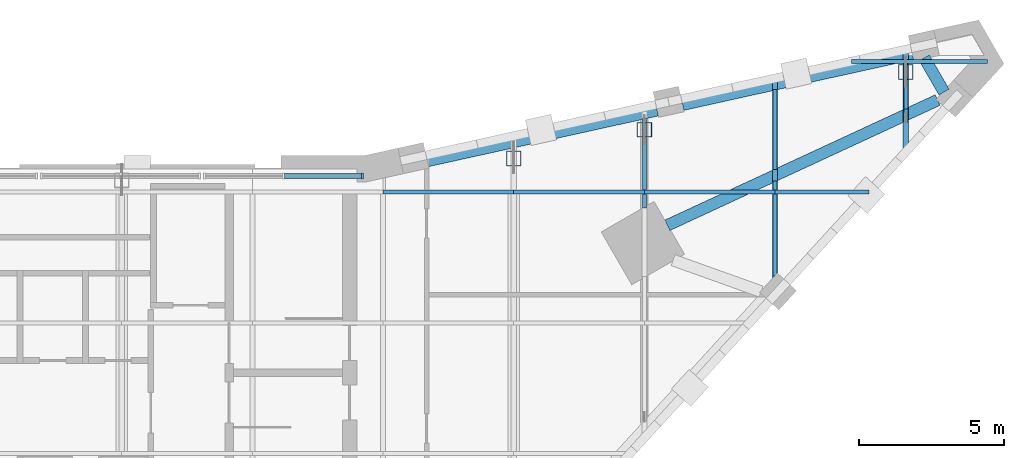
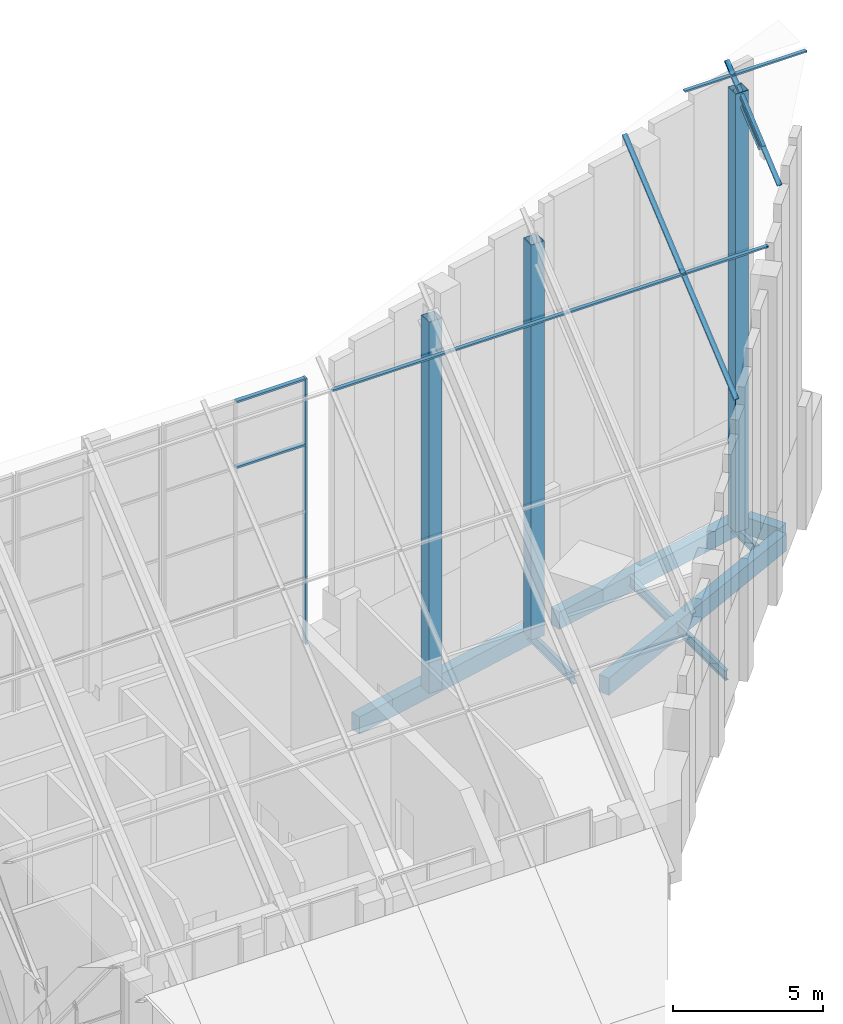
# One storey, part 8 of 19: 14 members, 9 beams, 6 elements without a shape of their own.
"""IFC4 building model written with IfcOpenShell, lengths in metres."""

import ifcopenshell
import ifcopenshell.guid

model = None  # the IFC model being written
_history = None  # IfcOwnerHistory: only IFC2X3 demands one
_inside = {}  # id of a spatial element -> (the spatial element, [elements in it])
_under = {}  # id of a project, library or spatial element -> (it, [spatial elements below it])
_declared = {}  # id of a project -> (the project, [libraries it declares])
_typed = {}  # id of a type object -> (the type object, [elements of that type])
_made_of = {}  # id of a material, layer set ... -> (it, [elements and type objects made of it])


def new_model(schema):
    """Start an empty IFC model of exactly this schema.

    Asked for "IFC4X3", IfcOpenShell would pick the latest addendum, in which some entities
    have other attributes; the version numbers below select the first issue.
    IFC2X3 requires an IfcOwnerHistory on every rooted entity: one is made here for all.
    """
    global model, _history
    if schema == "IFC4X3":
        model = ifcopenshell.file(schema_version=(4, 3, 0, 0))
    else:
        model = ifcopenshell.file(schema=schema)
    _inside.clear()
    _under.clear()
    _declared.clear()
    _typed.clear()
    _made_of.clear()
    _history = None
    if model.schema == "IFC2X3":
        org = make("IfcOrganization", Name="unknown")
        user = make(
            "IfcPersonAndOrganization",
            ThePerson=make("IfcPerson", FamilyName="unknown"),
            TheOrganization=org,
        )
        app = make(
            "IfcApplication",
            ApplicationDeveloper=org,
            Version="unknown",
            ApplicationFullName="unknown",
            ApplicationIdentifier="unknown",
        )
        _history = make(
            "IfcOwnerHistory",
            OwningUser=user,
            OwningApplication=app,
            ChangeAction="ADDED",
            CreationDate=0,
        )
    return model


def make(cls, **values):
    """One entity of the class cls with the attributes given. An attribute that is None is left unset."""
    return model.create_entity(
        cls, **{name: value for name, value in values.items() if value is not None}
    )


def rooted(cls, **values):
    """An entity with a GlobalId (a new one), such as an element, a storey or a relation."""
    return make(cls, GlobalId=ifcopenshell.guid.new(), OwnerHistory=_history, **values)


def si_unit(unit_type, name, prefix=None):
    """IfcSIUnit, for example si_unit("LENGTHUNIT", "METRE", prefix="MILLI")."""
    return make("IfcSIUnit", UnitType=unit_type, Prefix=prefix, Name=name)


def assignment(units):
    """IfcUnitAssignment: the units of a project."""
    return None if units is None else make("IfcUnitAssignment", Units=units)


def point(xyz):
    """IfcCartesianPoint."""
    return None if xyz is None else make("IfcCartesianPoint", Coordinates=xyz)


def direction(xyz):
    """IfcDirection."""
    return None if xyz is None else make("IfcDirection", DirectionRatios=xyz)


def frame(location, z_axis=None, x_axis=None):
    """IfcAxis2Placement3D, a coordinate frame: its origin and axes. An axis left out is left unset."""
    return make(
        "IfcAxis2Placement3D",
        Location=point(location),
        Axis=direction(z_axis),
        RefDirection=direction(x_axis),
    )


def frame_2d(location, x_axis=None):
    """IfcAxis2Placement2D, a coordinate frame in the plane: its origin and x axis."""
    return make(
        "IfcAxis2Placement2D", Location=point(location), RefDirection=direction(x_axis)
    )


def origin():
    """The frame at (0, 0, 0) with its axes left unset."""
    return frame((0.0, 0.0, 0.0))


def origin_2d():
    """The frame at (0, 0) in the plane with its x axis left unset."""
    return frame_2d((0.0, 0.0))


def place(relative_to, where):
    """IfcLocalPlacement: puts the frame where relative to a parent placement (None: the world)."""
    return make(
        "IfcLocalPlacement", PlacementRelTo=relative_to, RelativePlacement=where
    )


def context(
    kind, dimensions, precision=None, world=None, true_north=None, identifier=None
):
    """IfcGeometricRepresentationContext, for example the 3D "Model" context."""
    return make(
        "IfcGeometricRepresentationContext",
        ContextIdentifier=identifier,
        ContextType=kind,
        CoordinateSpaceDimension=dimensions,
        Precision=precision,
        WorldCoordinateSystem=world,
        TrueNorth=true_north,
    )


def subcontext(parent, identifier, kind, view, scale=None):
    """IfcGeometricRepresentationSubContext, for example "Body" below "Model"."""
    return make(
        "IfcGeometricRepresentationSubContext",
        ContextIdentifier=identifier,
        ContextType=kind,
        ParentContext=parent,
        TargetScale=scale,
        TargetView=view,
    )


def project(units=None, contexts=None):
    """IfcProject with its units and contexts."""
    return rooted(
        "IfcProject",
        Name="project",
        RepresentationContexts=contexts,
        UnitsInContext=assignment(units),
    )


def spatial(cls, under=None, at=None, **own):
    """A site, building, storey or space (cls), placed at a placement, below another one or the project."""
    s = rooted(cls, ObjectPlacement=at, **own)
    if under is not None:
        _under.setdefault(under.id(), (under, []))[1].append(s)
    return s


def profile(cls, at=None, kind="AREA", **sizes):
    """A parametric profile (cls). Its sizes go by their IFC names, for example OverallWidth=200.0."""
    return make(cls, ProfileType=kind, Position=at, **sizes)


def rectangle(**sizes):
    """IfcRectangleProfileDef."""
    return profile("IfcRectangleProfileDef", **sizes)


def hollow_rectangle(**sizes):
    """IfcRectangleHollowProfileDef."""
    return profile("IfcRectangleHollowProfileDef", **sizes)


def i_section(**sizes):
    """IfcIShapeProfileDef."""
    return profile("IfcIShapeProfileDef", **sizes)


def extrude(swept, where, along, depth):
    """IfcExtrudedAreaSolid: the profile swept, set in the frame where, extruded along a direction by depth."""
    return make(
        "IfcExtrudedAreaSolid",
        SweptArea=swept,
        Position=where,
        ExtrudedDirection=direction(along),
        Depth=depth,
    )


def shape(context_of_items, identifier, shape_type, items):
    """IfcShapeRepresentation: the items that make up one representation, for example the "Body"."""
    return make(
        "IfcShapeRepresentation",
        ContextOfItems=context_of_items,
        RepresentationIdentifier=identifier,
        RepresentationType=shape_type,
        Items=items,
    )


def material(Name=None, Category=None):
    """IfcMaterial."""
    return make("IfcMaterial", Name=Name, Category=Category)


def material_profile(
    of_material, cross_section, Name=None, Category=None, Priority=None
):
    """IfcMaterialProfile: a cross section and its material."""
    return make(
        "IfcMaterialProfile",
        Name=Name,
        Material=of_material,
        Profile=cross_section,
        Priority=Priority,
        Category=Category,
    )


def profile_set(profiles, Name=None, composite=None):
    """IfcMaterialProfileSet."""
    return make(
        "IfcMaterialProfileSet",
        Name=Name,
        MaterialProfiles=profiles,
        CompositeProfile=composite,
    )


def made_of(thing, what):
    """Note that an element or type object is made of a material, layer set ...; save() writes the relation."""
    if what is not None:
        _made_of.setdefault(what.id(), (what, []))[1].append(thing)
    return thing


def type_object(cls, material=None, **own):
    """A type object (cls), such as IfcWallType, which elements share."""
    return made_of(rooted(cls, **own), material)


def element(
    cls,
    number,
    at=None,
    inside=None,
    cuts=None,
    type_object=None,
    material=None,
    context=None,
    identifier="Body",
    shape_type=None,
    held_by="IfcProductDefinitionShape",
    body=None,
    shapes=None,
    **own,
):
    """One element of the class cls, such as IfcWall. Its Tag is "e" and its number.

    at: its placement. inside: the storey or other place that contains it. cuts: it is an
    opening in that element (IfcRelVoidsElement). A single representation is given by context,
    identifier, shape_type and body (its items); several are given by shapes. held_by: the class
    of the entity that holds the representations. save() writes the other relations.
    """
    e = rooted(cls, Tag="e%d" % number, ObjectPlacement=at, **own)
    if body is not None:
        shapes = [shape(context, identifier, shape_type, body)]
    if shapes is not None:
        e.Representation = make(held_by, Representations=shapes)
    if inside is not None:
        _inside.setdefault(inside.id(), (inside, []))[1].append(e)
    if cuts is not None:
        rooted(
            "IfcRelVoidsElement", RelatingBuildingElement=cuts, RelatedOpeningElement=e
        )
    if type_object is not None:
        _typed.setdefault(type_object.id(), (type_object, []))[1].append(e)
    return made_of(e, material)


def aggregate(whole, parts):
    """IfcRelAggregates: a whole, such as a stair, and the parts it consists of."""
    return rooted("IfcRelAggregates", RelatingObject=whole, RelatedObjects=parts)


def save(model, path):
    """Write the relations noted so far, then the file.

    IfcRelAggregates (storeys below a building ...), IfcRelContainedInSpatialStructure (elements
    in a storey), IfcRelDefinesByType, IfcRelAssociatesMaterial and IfcRelDeclares: one each for
    every whole, place, type object, material and project.
    """
    for whole, parts in _under.values():
        aggregate(whole, parts)
    for where, things in _inside.values():
        rooted(
            "IfcRelContainedInSpatialStructure",
            RelatedElements=things,
            RelatingStructure=where,
        )
    for kind, things in _typed.values():
        rooted("IfcRelDefinesByType", RelatedObjects=things, RelatingType=kind)
    for what, things in _made_of.values():
        rooted("IfcRelAssociatesMaterial", RelatedObjects=things, RelatingMaterial=what)
    for by, libraries in _declared.values():
        rooted("IfcRelDeclares", RelatingContext=by, RelatedDefinitions=libraries)
    model.write(path)


model = new_model("IFC4")

# Units and contexts
model_context = context("Model", 3, precision=1e-05, world=origin(), true_north=direction((0.0, 1.0)))
body_context = subcontext(model_context, "Body", "Model", "MODEL_VIEW")
ifc_project = project(units=[si_unit("LENGTHUNIT", "METRE"), si_unit("AREAUNIT", "SQUARE_METRE"), si_unit("VOLUMEUNIT", "CUBIC_METRE"), si_unit("PLANEANGLEUNIT", "RADIAN"), si_unit("MASSUNIT", "GRAM", prefix="KILO")], contexts=[model_context])

# Site, building, storey
site_placement = place(None, origin())
site = spatial("IfcSite", under=ifc_project, at=site_placement, CompositionType="ELEMENT")
building_placement = place(site_placement, origin())
building = spatial("IfcBuilding", under=site, at=building_placement, Name="Calabash Gate Tower", CompositionType="ELEMENT")
storey_placement = place(building_placement, frame((0.0, 0.0, 335.5)))
storey = spatial("IfcBuildingStorey", under=building, at=storey_placement, Name="L78", CompositionType="ELEMENT", Elevation=335.5)

# Beams
ifc_material_1 = material(Name="Concrete C50/60", Category="concrete")
ifc_material_profile_1 = material_profile(ifc_material_1, rectangle(XDim=0.39990234375, YDim=0.699951171875, at=origin_2d()))
ifc_profile_set_1 = profile_set([ifc_material_profile_1], Name="Concrete C50/60")
beam_type_1 = type_object("IfcBeamType", Name="Edge beam RC 400x700 Concrete C50/60", PredefinedType="BEAM", material=ifc_profile_set_1)
beam_1_placement = place(storey_placement, frame((23.2919921875, 17.10693359375, -0.550048828125), z_axis=(0.907348038584, 0.420380228933, 0.0), x_axis=(-0.420380228933, 0.907348038584, 0.0)))
element("IfcBeam", 1, at=beam_1_placement, inside=storey, type_object=beam_type_1, Name="Edge beam L78 3", PredefinedType="BEAM", context=body_context, shape_type="SweptSolid", body=[
    extrude(rectangle(XDim=0.39990234375, YDim=0.699951171875, at=origin_2d()), origin(), (0.0, 0.0, 1.0), 10.255126953125),
])
beam_2_placement = place(storey_placement, frame((32.81591796875, 21.694091796875, -0.550048828125), z_axis=(-0.499903734186, 0.866080975745, 0.0), x_axis=(-0.866080975745, -0.499903734186, 0.0)))
element("IfcBeam", 2, at=beam_2_placement, inside=storey, type_object=beam_type_1, Name="Edge beam L78 4", PredefinedType="BEAM", context=body_context, shape_type="SweptSolid", body=[
    extrude(rectangle(XDim=0.39990234375, YDim=0.699951171875, at=origin_2d()), origin(), (0.0, 0.0, 1.0), 1.360107421875),
])
beam_3_placement = place(storey_placement, frame((31.72705078125, 23.006103515625, -0.550048828125), z_axis=(-0.976492437334, -0.215551663945, 0.0), x_axis=(0.215551663945, -0.976492437334, 0.0)))
element("IfcBeam", 3, at=beam_3_placement, inside=storey, type_object=beam_type_1, Name="Edge beam L78 5", PredefinedType="BEAM", context=body_context, shape_type="SweptSolid", body=[
    extrude(rectangle(XDim=0.39990234375, YDim=0.699951171875, at=origin_2d()), origin(), (0.0, 0.0, 1.0), 8.1005859375),
])
beam_4_placement = place(storey_placement, frame((22.93603515625, 21.06591796875, -0.550048828125), z_axis=(-0.976517152373, -0.215439669332, 0.0), x_axis=(0.215439669332, -0.976517152373, 0.0)))
element("IfcBeam", 4, at=beam_4_placement, inside=storey, type_object=beam_type_1, Name="Edge beam L78 6", PredefinedType="BEAM", context=body_context, shape_type="SweptSolid", body=[
    extrude(rectangle(XDim=0.39990234375, YDim=0.699951171875, at=origin_2d()), origin(), (0.0, 0.0, 1.0), 8.09912109375),
])
ifc_material_2 = material(Name="Steel ASTM A992 Gr50", Category="steel")
ifc_material_profile_2 = material_profile(ifc_material_2, i_section(OverallWidth=0.1396484375, OverallDepth=0.398681640625, WebThickness=0.00634765625, FlangeThickness=0.0087890625, FilletRadius=0.01025390625, at=origin_2d()))
ifc_profile_set_2 = profile_set([ifc_material_profile_2], Name="Steel ASTM A992 Gr50")
beam_type_2 = type_object("IfcBeamType", Name="Floor beam W16x26 ASTM A992 Gr50", PredefinedType="BEAM", material=ifc_profile_set_2)
beam_5_placement = place(storey_placement, frame((22.5, 17.702880859375, -0.39892578125), z_axis=(0.0, 1.0, 0.0), x_axis=(-1.0, 0.0, 0.0)))
element("IfcBeam", 5, at=beam_5_placement, inside=storey, type_object=beam_type_2, Name="Floor beam L78 4", PredefinedType="BEAM", context=body_context, shape_type="SweptSolid", body=[
    extrude(i_section(OverallWidth=0.1396484375, OverallDepth=0.398681640625, WebThickness=0.00634765625, FlangeThickness=0.0087890625, FilletRadius=0.01025390625, at=origin_2d()), origin(), (0.0, 0.0, 1.0), 3.09423828125),
])
beam_6_placement = place(storey_placement, frame((27.0, 15.35693359375, -0.39892578125), z_axis=(0.0, 1.0, 0.0), x_axis=(-1.0, 0.0, 0.0)))
element("IfcBeam", 6, at=beam_6_placement, inside=storey, type_object=beam_type_2, Name="Floor beam L78 5", PredefinedType="BEAM", context=body_context, shape_type="SweptSolid", body=[
    extrude(i_section(OverallWidth=0.1396484375, OverallDepth=0.398681640625, WebThickness=0.00634765625, FlangeThickness=0.0087890625, FilletRadius=0.01025390625, at=origin_2d()), origin(), (0.0, 0.0, 1.0), 3.27001953125),
])
beam_7_placement = place(storey_placement, frame((27.0, 19.02197265625, -0.39892578125), z_axis=(0.0, 1.0, 0.0), x_axis=(-1.0, 0.0, 0.0)))
element("IfcBeam", 7, at=beam_7_placement, inside=storey, type_object=beam_type_2, Name="Floor beam L78 6", PredefinedType="BEAM", context=body_context, shape_type="SweptSolid", body=[
    extrude(i_section(OverallWidth=0.1396484375, OverallDepth=0.398681640625, WebThickness=0.00634765625, FlangeThickness=0.0087890625, FilletRadius=0.01025390625, at=origin_2d()), origin(), (0.0, 0.0, 1.0), 2.76806640625),
])
beam_8_placement = place(storey_placement, frame((31.5, 21.10888671875, -0.39892578125), z_axis=(0.0, 1.0, 0.0), x_axis=(-1.0, 0.0, 0.0)))
element("IfcBeam", 8, at=beam_8_placement, inside=storey, type_object=beam_type_2, Name="Floor beam L78 7", PredefinedType="BEAM", context=body_context, shape_type="SweptSolid", body=[
    extrude(i_section(OverallWidth=0.1396484375, OverallDepth=0.398681640625, WebThickness=0.00634765625, FlangeThickness=0.0087890625, FilletRadius=0.01025390625, at=origin_2d()), origin(), (0.0, 0.0, 1.0), 1.674072265625),
])

# Curtain wall, member
ifc_material_3 = material(Name="Anodised aluminium frame, bronze finish, clear laminated low-emissivity glazing", Category="aluminium")
curtain_wall_type_1 = type_object("IfcCurtainWallType", Name="Curtain wall CWC crown roof glazing", PredefinedType="NOTDEFINED", material=ifc_material_3)
curtain_wall_1_placement = place(storey_placement, origin())
curtain_wall_1 = element("IfcCurtainWall", 9, at=curtain_wall_1_placement, inside=storey, type_object=curtain_wall_type_1, Name="Curtain wall CWC roof glazing strip 12", PredefinedType="NOTDEFINED")
ifc_material_4 = material(Name="Anodised aluminium frame, bronze finish", Category="aluminium")
ifc_material_profile_3 = material_profile(ifc_material_4, rectangle(XDim=0.179931640625, YDim=0.06494140625, at=origin_2d()))
ifc_profile_set_3 = profile_set([ifc_material_profile_3], Name="Anodised aluminium frame, bronze finish")
member_type_1 = type_object("IfcMemberType", Name="Mullion CWC 65x180", PredefinedType="MULLION", material=ifc_profile_set_3)
member_1_placement = place(storey_placement, frame((27.0, 14.712158203125, 11.19921875), z_axis=(0.0, 0.76604968698, 0.642781360245), x_axis=(-1.0, 0.0, 0.0)))
member_1 = element("IfcMember", 10, at=member_1_placement, type_object=member_type_1, Name="CWC roof mullion 12.1", PredefinedType="MULLION", context=body_context, shape_type="SweptSolid", body=[
    extrude(rectangle(XDim=0.179931640625, YDim=0.06494140625, at=origin_2d()), origin(), (0.0, 0.0, 1.0), 9.732421875),
])

curtain_wall_2_placement = place(storey_placement, origin())
curtain_wall_2 = element("IfcCurtainWall", 11, at=curtain_wall_2_placement, inside=storey, type_object=curtain_wall_type_1, Name="Curtain wall CWC roof glazing strip 13", PredefinedType="NOTDEFINED")
member_2_placement = place(storey_placement, frame((31.5, 19.633056640625, 15.328125), z_axis=(0.0, 0.766022268246, 0.642814035745), x_axis=(-1.0, 0.0, 0.0)))
member_2 = element("IfcMember", 12, at=member_2_placement, type_object=member_type_1, Name="CWC roof mullion 13.1", PredefinedType="MULLION", context=body_context, shape_type="SweptSolid", body=[
    extrude(rectangle(XDim=0.179931640625, YDim=0.06494140625, at=origin_2d()), origin(), (0.0, 0.0, 1.0), 4.60498046875),
])

ifc_material_5 = material(Name="Anodised aluminium frame, bronze finish, clear laminated impact-rated glazing", Category="aluminium")
curtain_wall_type_2 = type_object("IfcCurtainWallType", Name="Curtain wall CWV crown wall", PredefinedType="NOTDEFINED", material=ifc_material_5)
curtain_wall_3_placement = place(storey_placement, origin())
curtain_wall_3 = element("IfcCurtainWall", 13, at=curtain_wall_3_placement, inside=storey, type_object=curtain_wall_type_2, Name="Curtain wall CWV L78 crown screen 6.1", PredefinedType="NOTDEFINED")
ifc_material_6 = material(Name="Anodised aluminium frame, bronze finish", Category="aluminium")
ifc_material_profile_4 = material_profile(ifc_material_6, rectangle(XDim=0.199951171875, YDim=0.074951171875, at=origin_2d()))
ifc_profile_set_4 = profile_set([ifc_material_profile_4], Name="Anodised aluminium frame, bronze finish")
member_type_2 = type_object("IfcMemberType", Name="Mullion CWV 75x200", PredefinedType="MULLION", material=ifc_profile_set_4)
member_3_placement = place(storey_placement, frame((12.7939453125, 18.802490234375, 3.800048828125), z_axis=(0.0, 0.0, 1.0), x_axis=(0.0, -1.0, 0.0)))
member_3 = element("IfcMember", 14, at=member_3_placement, type_object=member_type_2, Name="CWV mullion 1", PredefinedType="MULLION", context=body_context, shape_type="SweptSolid", body=[
    extrude(rectangle(XDim=0.199951171875, YDim=0.074951171875, at=origin_2d()), origin(), (0.0, 0.0, 1.0), 10.798828125),
])

# Members
ifc_material_7 = material(Name="Steel ASTM A500 Gr C", Category="steel")
ifc_material_profile_5 = material_profile(ifc_material_7, hollow_rectangle(XDim=0.508056640625, YDim=0.508056640625, WallThickness=0.01904296875, at=origin_2d()))
ifc_profile_set_5 = profile_set([ifc_material_profile_5], Name="Steel ASTM A500 Gr C")
member_type_3 = type_object("IfcMemberType", Name="Roof post HSS20X20X.750 ASTM A500 Gr C", PredefinedType="POST", material=ifc_profile_set_5)
member_4_placement = place(storey_placement, frame((18.0, 19.404052734375, -0.199951171875), z_axis=(0.0, 0.0, 1.0), x_axis=(1.0, 0.0, 0.0)))
element("IfcMember", 15, at=member_4_placement, inside=storey, type_object=member_type_3, Name="Roof post 12", PredefinedType="POST", context=body_context, shape_type="SweptSolid", body=[
    extrude(hollow_rectangle(XDim=0.508056640625, YDim=0.508056640625, WallThickness=0.01904296875, at=origin_2d()), origin(), (0.0, 0.0, 1.0), 15.080078125),
])
member_5_placement = place(storey_placement, frame((22.5, 20.39697265625, -0.199951171875), z_axis=(0.0, 0.0, 1.0), x_axis=(1.0, 0.0, 0.0)))
element("IfcMember", 16, at=member_5_placement, inside=storey, type_object=member_type_3, Name="Roof post 14", PredefinedType="POST", context=body_context, shape_type="SweptSolid", body=[
    extrude(hollow_rectangle(XDim=0.508056640625, YDim=0.508056640625, WallThickness=0.01904296875, at=origin_2d()), origin(), (0.0, 0.0, 1.0), 16.036865234375),
])
member_6_placement = place(storey_placement, frame((31.5, 22.383056640625, -0.199951171875), z_axis=(0.0, 0.0, 1.0), x_axis=(1.0, 0.0, 0.0)))
element("IfcMember", 17, at=member_6_placement, inside=storey, type_object=member_type_3, Name="Roof post 16", PredefinedType="POST", context=body_context, shape_type="SweptSolid", body=[
    extrude(hollow_rectangle(XDim=0.508056640625, YDim=0.508056640625, WallThickness=0.01904296875, at=origin_2d()), origin(), (0.0, 0.0, 1.0), 17.810302734375),
])

# Beam
ifc_material_8 = material(Name="Steel ASTM A992 Gr50", Category="steel")
ifc_material_profile_6 = material_profile(ifc_material_8, i_section(OverallWidth=0.1396484375, OverallDepth=0.398681640625, WebThickness=0.00634765625, FlangeThickness=0.0087890625, FilletRadius=0.01025390625, at=origin_2d()))
ifc_profile_set_6 = profile_set([ifc_material_profile_6], Name="Steel ASTM A992 Gr50")
beam_type_3 = type_object("IfcBeamType", Name="Roof rafter W16x26 ASTM A992 Gr50", PredefinedType="BEAM", material=ifc_profile_set_6)
beam_9_placement = place(storey_placement, frame((31.5, 20.789794921875, 16.156005859375), z_axis=(0.0, 0.76607073684, 0.642756272748), x_axis=(-1.0, 0.0, 0.0)))
element("IfcBeam", 18, at=beam_9_placement, inside=storey, type_object=beam_type_3, Name="Roof rafter 9", PredefinedType="BEAM", context=body_context, shape_type="SweptSolid", body=[
    extrude(i_section(OverallWidth=0.1396484375, OverallDepth=0.398681640625, WebThickness=0.00634765625, FlangeThickness=0.0087890625, FilletRadius=0.01025390625, at=origin_2d()), origin(), (0.0, 0.0, 1.0), 2.2470703125),
])

# Curtain wall, member
curtain_wall_4_placement = place(storey_placement, origin())
curtain_wall_4 = element("IfcCurtainWall", 19, at=curtain_wall_4_placement, inside=storey, type_object=curtain_wall_type_1, Name="Curtain wall CWC roof glazing strip 9", PredefinedType="NOTDEFINED")
ifc_material_9 = material(Name="Anodised aluminium frame, bronze finish", Category="aluminium")
ifc_material_profile_7 = material_profile(ifc_material_9, rectangle(XDim=0.139892578125, YDim=0.06494140625, at=origin_2d()))
ifc_profile_set_7 = profile_set([ifc_material_profile_7], Name="Anodised aluminium frame, bronze finish")
member_type_4 = type_object("IfcMemberType", Name="Transom CWC 65x140", PredefinedType="USERDEFINED", material=ifc_profile_set_7)
member_7_placement = place(storey_placement, frame((13.5, 18.248046875, 14.166015625), z_axis=(1.0, 0.0, 0.0), x_axis=(0.0, 1.0, 0.0)))
member_7 = element("IfcMember", 20, at=member_7_placement, type_object=member_type_4, Name="CWC roof transom 9.5", ObjectType="TRANSOM", PredefinedType="USERDEFINED", context=body_context, shape_type="SweptSolid", body=[
    extrude(rectangle(XDim=0.139892578125, YDim=0.06494140625, at=origin_2d()), origin(), (0.0, 0.0, 1.0), 4.5),
])
aggregate(curtain_wall_4, [member_7])

curtain_wall_5_placement = place(storey_placement, origin())
curtain_wall_5 = element("IfcCurtainWall", 21, at=curtain_wall_5_placement, inside=storey, type_object=curtain_wall_type_1, Name="Curtain wall CWC roof glazing strip 10", PredefinedType="NOTDEFINED")
member_8_placement = place(storey_placement, frame((18.0, 18.248046875, 14.166015625), z_axis=(1.0, 0.0, 0.0), x_axis=(0.0, 1.0, 0.0)))
member_8 = element("IfcMember", 22, at=member_8_placement, type_object=member_type_4, Name="CWC roof transom 10.3", ObjectType="TRANSOM", PredefinedType="USERDEFINED", context=body_context, shape_type="SweptSolid", body=[
    extrude(rectangle(XDim=0.139892578125, YDim=0.06494140625, at=origin_2d()), origin(), (0.0, 0.0, 1.0), 4.5),
])
aggregate(curtain_wall_5, [member_8])

curtain_wall_6_placement = place(storey_placement, origin())
curtain_wall_6 = element("IfcCurtainWall", 23, at=curtain_wall_6_placement, inside=storey, type_object=curtain_wall_type_1, Name="Curtain wall CWC roof glazing strip 11", PredefinedType="NOTDEFINED")
member_9_placement = place(storey_placement, frame((22.5, 18.248046875, 14.166015625), z_axis=(1.0, 0.0, 0.0), x_axis=(0.0, 1.0, 0.0)))
member_9 = element("IfcMember", 24, at=member_9_placement, type_object=member_type_4, Name="CWC roof transom 11.2", ObjectType="TRANSOM", PredefinedType="USERDEFINED", context=body_context, shape_type="SweptSolid", body=[
    extrude(rectangle(XDim=0.139892578125, YDim=0.06494140625, at=origin_2d()), origin(), (0.0, 0.0, 1.0), 4.5),
])
aggregate(curtain_wall_6, [member_9])

# Member
member_10_placement = place(storey_placement, frame((27.0, 18.248046875, 14.166015625), z_axis=(1.0, 0.0, 0.0), x_axis=(0.0, 1.0, 0.0)))
member_10 = element("IfcMember", 25, at=member_10_placement, type_object=member_type_4, Name="CWC roof transom 12.1", ObjectType="TRANSOM", PredefinedType="USERDEFINED", context=body_context, shape_type="SweptSolid", body=[
    extrude(rectangle(XDim=0.139892578125, YDim=0.06494140625, at=origin_2d()), origin(), (0.0, 0.0, 1.0), 3.233642578125),
])

member_11_placement = place(storey_placement, frame((29.6298828125, 22.748046875, 17.94189453125), z_axis=(1.0, 0.0, 0.0), x_axis=(0.0, 1.0, 0.0)))
member_11 = element("IfcMember", 26, at=member_11_placement, type_object=member_type_4, Name="CWC roof transom 12.2", ObjectType="TRANSOM", PredefinedType="USERDEFINED", context=body_context, shape_type="SweptSolid", body=[
    extrude(rectangle(XDim=0.139892578125, YDim=0.06494140625, at=origin_2d()), origin(), (0.0, 0.0, 1.0), 1.8701171875),
])

aggregate(curtain_wall_1, [member_1, member_10, member_11])

member_12_placement = place(storey_placement, frame((31.5, 22.748046875, 17.94189453125), z_axis=(1.0, 0.0, 0.0), x_axis=(0.0, 1.0, 0.0)))
member_12 = element("IfcMember", 27, at=member_12_placement, type_object=member_type_4, Name="CWC roof transom 13.1", ObjectType="TRANSOM", PredefinedType="USERDEFINED", context=body_context, shape_type="SweptSolid", body=[
    extrude(rectangle(XDim=0.139892578125, YDim=0.06494140625, at=origin_2d()), origin(), (0.0, 0.0, 1.0), 2.813232421875),
])

aggregate(curtain_wall_2, [member_2, member_12])

ifc_material_10 = material(Name="Anodised aluminium frame, bronze finish", Category="aluminium")
ifc_material_profile_8 = material_profile(ifc_material_10, rectangle(XDim=0.159912109375, YDim=0.074951171875, at=origin_2d()))
ifc_profile_set_8 = profile_set([ifc_material_profile_8], Name="Anodised aluminium frame, bronze finish")
member_type_5 = type_object("IfcMemberType", Name="Transom CWV 75x160", PredefinedType="USERDEFINED", material=ifc_profile_set_8)
member_13_placement = place(storey_placement, frame((12.75634765625, 18.802490234375, 11.899169921875), z_axis=(-1.0, 0.0, 0.0), x_axis=(0.0, -1.0, 0.0)))
member_13 = element("IfcMember", 28, at=member_13_placement, type_object=member_type_5, Name="CWV transom 1.4", ObjectType="TRANSOM", PredefinedType="USERDEFINED", context=body_context, shape_type="SweptSolid", body=[
    extrude(rectangle(XDim=0.159912109375, YDim=0.074951171875, at=origin_2d()), origin(), (0.0, 0.0, 1.0), 2.645263671875),
])

member_14_placement = place(storey_placement, frame((12.75634765625, 18.802490234375, 14.561279296875), z_axis=(-1.0, 0.0, 0.0), x_axis=(0.0, -1.0, 0.0)))
member_14 = element("IfcMember", 29, at=member_14_placement, type_object=member_type_5, Name="CWV transom 1.5", ObjectType="TRANSOM", PredefinedType="USERDEFINED", context=body_context, shape_type="SweptSolid", body=[
    extrude(rectangle(XDim=0.159912109375, YDim=0.074951171875, at=origin_2d()), origin(), (0.0, 0.0, 1.0), 2.645263671875),
])

aggregate(curtain_wall_3, [member_3, member_13, member_14])

save(model, "model.ifc")
